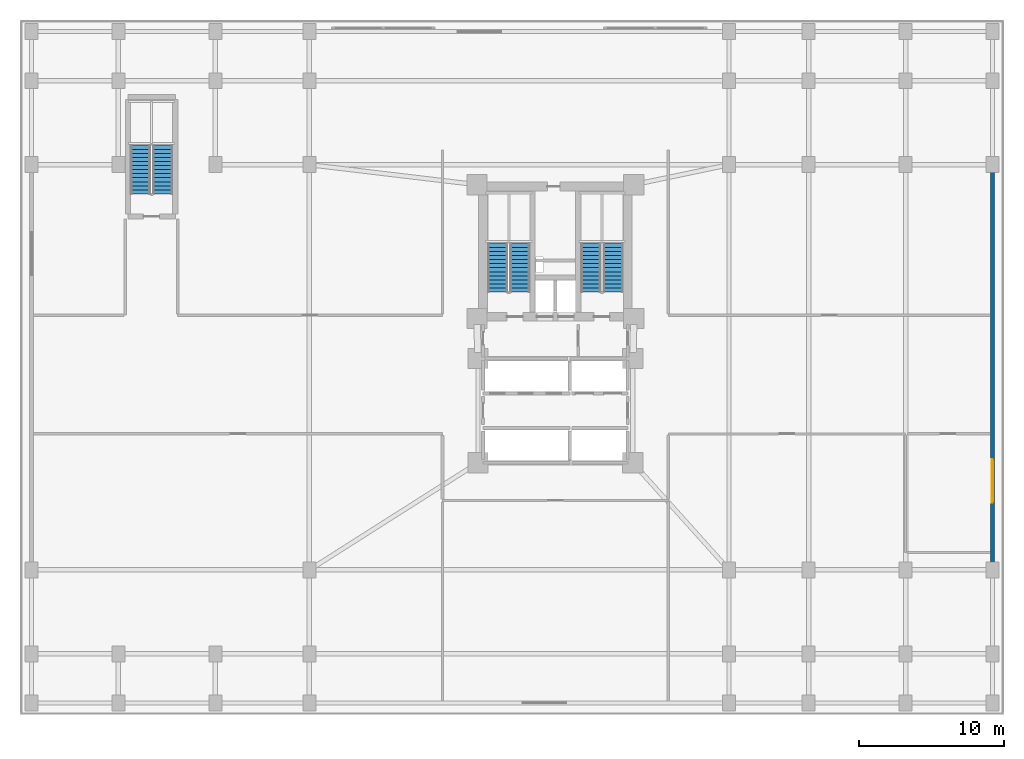
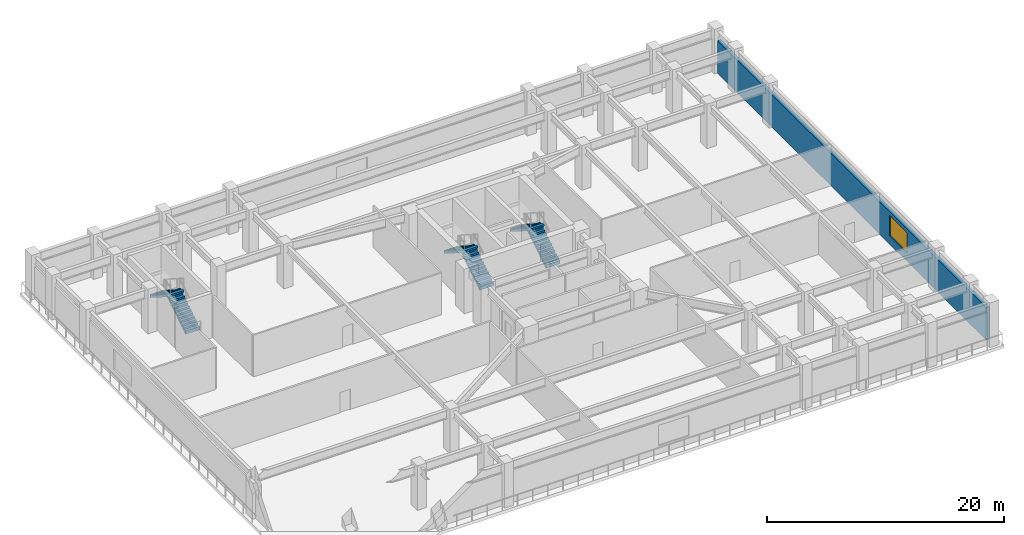
# One storey, part 10 of 12: 6 stair flights, 1 wall, 1 window, 1 opening, 3 elements without a shape of their own.
"""IFC4 building model written with IfcOpenShell, lengths in metres."""

import ifcopenshell
import ifcopenshell.guid

model = None  # the IFC model being written
_history = None  # IfcOwnerHistory: only IFC2X3 demands one
_inside = {}  # id of a spatial element -> (the spatial element, [elements in it])
_under = {}  # id of a project, library or spatial element -> (it, [spatial elements below it])
_declared = {}  # id of a project -> (the project, [libraries it declares])
_typed = {}  # id of a type object -> (the type object, [elements of that type])
_made_of = {}  # id of a material, layer set ... -> (it, [elements and type objects made of it])


def new_model(schema):
    """Start an empty IFC model of exactly this schema.

    Asked for "IFC4X3", IfcOpenShell would pick the latest addendum, in which some entities
    have other attributes; the version numbers below select the first issue.
    IFC2X3 requires an IfcOwnerHistory on every rooted entity: one is made here for all.
    """
    global model, _history
    if schema == "IFC4X3":
        model = ifcopenshell.file(schema_version=(4, 3, 0, 0))
    else:
        model = ifcopenshell.file(schema=schema)
    _inside.clear()
    _under.clear()
    _declared.clear()
    _typed.clear()
    _made_of.clear()
    _history = None
    if model.schema == "IFC2X3":
        org = make("IfcOrganization", Name="unknown")
        user = make(
            "IfcPersonAndOrganization",
            ThePerson=make("IfcPerson", FamilyName="unknown"),
            TheOrganization=org,
        )
        app = make(
            "IfcApplication",
            ApplicationDeveloper=org,
            Version="unknown",
            ApplicationFullName="unknown",
            ApplicationIdentifier="unknown",
        )
        _history = make(
            "IfcOwnerHistory",
            OwningUser=user,
            OwningApplication=app,
            ChangeAction="ADDED",
            CreationDate=0,
        )
    return model


def make(cls, **values):
    """One entity of the class cls with the attributes given. An attribute that is None is left unset."""
    return model.create_entity(
        cls, **{name: value for name, value in values.items() if value is not None}
    )


def rooted(cls, **values):
    """An entity with a GlobalId (a new one), such as an element, a storey or a relation."""
    return make(cls, GlobalId=ifcopenshell.guid.new(), OwnerHistory=_history, **values)


def si_unit(unit_type, name, prefix=None):
    """IfcSIUnit, for example si_unit("LENGTHUNIT", "METRE", prefix="MILLI")."""
    return make("IfcSIUnit", UnitType=unit_type, Prefix=prefix, Name=name)


def assignment(units):
    """IfcUnitAssignment: the units of a project."""
    return None if units is None else make("IfcUnitAssignment", Units=units)


def point(xyz):
    """IfcCartesianPoint."""
    return None if xyz is None else make("IfcCartesianPoint", Coordinates=xyz)


def direction(xyz):
    """IfcDirection."""
    return None if xyz is None else make("IfcDirection", DirectionRatios=xyz)


def frame(location, z_axis=None, x_axis=None):
    """IfcAxis2Placement3D, a coordinate frame: its origin and axes. An axis left out is left unset."""
    return make(
        "IfcAxis2Placement3D",
        Location=point(location),
        Axis=direction(z_axis),
        RefDirection=direction(x_axis),
    )


def frame_2d(location, x_axis=None):
    """IfcAxis2Placement2D, a coordinate frame in the plane: its origin and x axis."""
    return make(
        "IfcAxis2Placement2D", Location=point(location), RefDirection=direction(x_axis)
    )


def origin():
    """The frame at (0, 0, 0) with its axes left unset."""
    return frame((0.0, 0.0, 0.0))


def place(relative_to, where):
    """IfcLocalPlacement: puts the frame where relative to a parent placement (None: the world)."""
    return make(
        "IfcLocalPlacement", PlacementRelTo=relative_to, RelativePlacement=where
    )


def context(
    kind, dimensions, precision=None, world=None, true_north=None, identifier=None
):
    """IfcGeometricRepresentationContext, for example the 3D "Model" context."""
    return make(
        "IfcGeometricRepresentationContext",
        ContextIdentifier=identifier,
        ContextType=kind,
        CoordinateSpaceDimension=dimensions,
        Precision=precision,
        WorldCoordinateSystem=world,
        TrueNorth=true_north,
    )


def subcontext(parent, identifier, kind, view, scale=None):
    """IfcGeometricRepresentationSubContext, for example "Body" below "Model"."""
    return make(
        "IfcGeometricRepresentationSubContext",
        ContextIdentifier=identifier,
        ContextType=kind,
        ParentContext=parent,
        TargetScale=scale,
        TargetView=view,
    )


def project(units=None, contexts=None):
    """IfcProject with its units and contexts."""
    return rooted(
        "IfcProject",
        Name="project",
        RepresentationContexts=contexts,
        UnitsInContext=assignment(units),
    )


def spatial(cls, under=None, at=None, **own):
    """A site, building, storey or space (cls), placed at a placement, below another one or the project."""
    s = rooted(cls, ObjectPlacement=at, **own)
    if under is not None:
        _under.setdefault(under.id(), (under, []))[1].append(s)
    return s


def polyline(points):
    """IfcPolyline through the points."""
    return make("IfcPolyline", Points=[point(p) for p in points])


def profile(cls, at=None, kind="AREA", **sizes):
    """A parametric profile (cls). Its sizes go by their IFC names, for example OverallWidth=200.0."""
    return make(cls, ProfileType=kind, Position=at, **sizes)


def rectangle(**sizes):
    """IfcRectangleProfileDef."""
    return profile("IfcRectangleProfileDef", **sizes)


def outline(outer, holes=None, kind="AREA"):
    """IfcArbitraryClosedProfileDef: a profile drawn as a closed curve; with holes, ...WithVoids."""
    if holes is None:
        return make("IfcArbitraryClosedProfileDef", ProfileType=kind, OuterCurve=outer)
    return make(
        "IfcArbitraryProfileDefWithVoids",
        ProfileType=kind,
        OuterCurve=outer,
        InnerCurves=holes,
    )


def extrude(swept, where, along, depth):
    """IfcExtrudedAreaSolid: the profile swept, set in the frame where, extruded along a direction by depth."""
    return make(
        "IfcExtrudedAreaSolid",
        SweptArea=swept,
        Position=where,
        ExtrudedDirection=direction(along),
        Depth=depth,
    )


def shape(context_of_items, identifier, shape_type, items):
    """IfcShapeRepresentation: the items that make up one representation, for example the "Body"."""
    return make(
        "IfcShapeRepresentation",
        ContextOfItems=context_of_items,
        RepresentationIdentifier=identifier,
        RepresentationType=shape_type,
        Items=items,
    )


def material(Name=None, Category=None):
    """IfcMaterial."""
    return make("IfcMaterial", Name=Name, Category=Category)


def layer(
    of_material, thickness, ventilated=None, Name=None, Category=None, Priority=None
):
    """IfcMaterialLayer: one layer of a wall or slab, of a material (None: an air gap)."""
    return make(
        "IfcMaterialLayer",
        Material=of_material,
        LayerThickness=thickness,
        IsVentilated=ventilated,
        Name=Name,
        Category=Category,
        Priority=Priority,
    )


def layer_set(layers, Name=None):
    """IfcMaterialLayerSet."""
    return make("IfcMaterialLayerSet", MaterialLayers=layers, LayerSetName=Name)


def made_of(thing, what):
    """Note that an element or type object is made of a material, layer set ...; save() writes the relation."""
    if what is not None:
        _made_of.setdefault(what.id(), (what, []))[1].append(thing)
    return thing


def type_object(cls, material=None, **own):
    """A type object (cls), such as IfcWallType, which elements share."""
    return made_of(rooted(cls, **own), material)


def element(
    cls,
    number,
    at=None,
    inside=None,
    cuts=None,
    type_object=None,
    material=None,
    context=None,
    identifier="Body",
    shape_type=None,
    held_by="IfcProductDefinitionShape",
    body=None,
    shapes=None,
    **own,
):
    """One element of the class cls, such as IfcWall. Its Tag is "e" and its number.

    at: its placement. inside: the storey or other place that contains it. cuts: it is an
    opening in that element (IfcRelVoidsElement). A single representation is given by context,
    identifier, shape_type and body (its items); several are given by shapes. held_by: the class
    of the entity that holds the representations. save() writes the other relations.
    """
    e = rooted(cls, Tag="e%d" % number, ObjectPlacement=at, **own)
    if body is not None:
        shapes = [shape(context, identifier, shape_type, body)]
    if shapes is not None:
        e.Representation = make(held_by, Representations=shapes)
    if inside is not None:
        _inside.setdefault(inside.id(), (inside, []))[1].append(e)
    if cuts is not None:
        rooted(
            "IfcRelVoidsElement", RelatingBuildingElement=cuts, RelatedOpeningElement=e
        )
    if type_object is not None:
        _typed.setdefault(type_object.id(), (type_object, []))[1].append(e)
    return made_of(e, material)


def fill(opening, filler):
    """IfcRelFillsElement: the door or window that sits in an opening."""
    return rooted(
        "IfcRelFillsElement",
        RelatingOpeningElement=opening,
        RelatedBuildingElement=filler,
    )


def aggregate(whole, parts):
    """IfcRelAggregates: a whole, such as a stair, and the parts it consists of."""
    return rooted("IfcRelAggregates", RelatingObject=whole, RelatedObjects=parts)


def save(model, path):
    """Write the relations noted so far, then the file.

    IfcRelAggregates (storeys below a building ...), IfcRelContainedInSpatialStructure (elements
    in a storey), IfcRelDefinesByType, IfcRelAssociatesMaterial and IfcRelDeclares: one each for
    every whole, place, type object, material and project.
    """
    for whole, parts in _under.values():
        aggregate(whole, parts)
    for where, things in _inside.values():
        rooted(
            "IfcRelContainedInSpatialStructure",
            RelatedElements=things,
            RelatingStructure=where,
        )
    for kind, things in _typed.values():
        rooted("IfcRelDefinesByType", RelatedObjects=things, RelatingType=kind)
    for what, things in _made_of.values():
        rooted("IfcRelAssociatesMaterial", RelatedObjects=things, RelatingMaterial=what)
    for by, libraries in _declared.values():
        rooted("IfcRelDeclares", RelatingContext=by, RelatedDefinitions=libraries)
    model.write(path)


model = new_model("IFC4")

# Units and contexts
model_context = context("Model", 3, precision=1e-05, world=origin(), true_north=direction((0.0, 1.0)))
body_context = subcontext(model_context, "Body", "Model", "MODEL_VIEW")
ifc_project = project(units=[si_unit("LENGTHUNIT", "METRE"), si_unit("AREAUNIT", "SQUARE_METRE"), si_unit("VOLUMEUNIT", "CUBIC_METRE"), si_unit("PLANEANGLEUNIT", "RADIAN"), si_unit("MASSUNIT", "GRAM", prefix="KILO")], contexts=[model_context])

# Site, building, storey
site_placement = place(None, origin())
site = spatial("IfcSite", under=ifc_project, at=site_placement, CompositionType="ELEMENT")
building_placement = place(site_placement, origin())
building = spatial("IfcBuilding", under=site, at=building_placement, Name="Varnakorn Sky Granary", CompositionType="ELEMENT")
storey_placement = place(building_placement, frame((0.0, 0.0, 4.60009765625)))
storey = spatial("IfcBuildingStorey", under=building, at=storey_placement, Name="L01", CompositionType="ELEMENT", Elevation=4.60009765625)

# Wall, opening, window
ifc_material_1 = material(Name="Precast concrete C40/50", Category="concrete")
ifc_layer = layer(ifc_material_1, 0.300048828125, Name="Precast concrete C40/50")
ifc_layer_set = layer_set([ifc_layer], Name="Precast concrete C40/50")
wall_type = type_object("IfcWallType", Name="WT-EW-POD-300", PredefinedType="SOLIDWALL", material=ifc_layer_set)
wall_placement = place(storey_placement, frame((33.199951171875, 22.655029296875, 0.0), z_axis=(0.0, 0.0, 1.0), x_axis=(0.0, -1.0, 0.0)))
wall = element("IfcWall", 1, at=wall_placement, inside=storey, type_object=wall_type, Name="Podium Exterior Facade Wall L01-E", PredefinedType="SOLIDWALL", context=body_context, shape_type="SweptSolid", body=[
    extrude(rectangle(XDim=45.31005859375, YDim=0.300048828125, at=frame_2d((22.655029296875, 0.0))), origin(), (0.0, 0.0, 1.0), 3.349853515625),
])
opening_placement = place(wall_placement, frame((29.0, 0.0, 0.85009765625)))
opening = element("IfcOpeningElement", 2, at=opening_placement, cuts=wall, Name="Opening WN-03", PredefinedType="OPENING", context=body_context, shape_type="SweptSolid", body=[
    extrude(rectangle(XDim=3.0, YDim=2.10009765625, at=frame_2d((1.5, 1.050048828125))), frame((0.0, 0.16015625, 0.0), z_axis=(0.0, -1.0, 0.0), x_axis=(1.0, 0.0, 0.0)), (0.0, 0.0, 1.0), 0.320068359375),
])
ifc_material_2 = material(Name="Low-E Tinted Laminated Glass", Category="glass")
window_type = type_object("IfcWindowType", Name="WN-MKT-3000", PartitioningType="SINGLE_PANEL", PredefinedType="WINDOW", material=ifc_material_2)
window_placement = place(opening_placement, origin())
window = element("IfcWindow", 3, at=window_placement, inside=storey, type_object=window_type, Name="Podium Facade Window L01-E", OverallHeight=2.10009765625, OverallWidth=3.0, PartitioningType="SINGLE_PANEL", PredefinedType="WINDOW", context=body_context, shape_type="SweptSolid", body=[
    extrude(rectangle(XDim=3.0, YDim=2.10009765625, at=frame_2d((1.5, 1.050048828125))), frame((0.0, 0.030029296875, 0.0), z_axis=(0.0, -1.0, 0.0), x_axis=(1.0, 0.0, 0.0)), (0.0, 0.0, 1.0), 0.06005859375),
])
fill(opening, window)

# Stair, stair flights
ifc_material_3 = material(Name="Concrete C40/50", Category="concrete")
stair_type = type_object("IfcStairType", Name="ST-MAIN-ASSEMBLY", PredefinedType="HALF_TURN_STAIR", material=ifc_material_3)
stair_1_placement = place(storey_placement, origin())
stair_1 = element("IfcStair", 4, at=stair_1_placement, inside=storey, type_object=stair_type, Name="L01 Protected Exit Stair ST-1", PredefinedType="HALF_TURN_STAIR")
stair_flight_type = type_object("IfcStairFlightType", Name="ST-MAIN-FLIGHT", PredefinedType="STRAIGHT", material=ifc_material_3)
stair_flight_1_placement = place(storey_placement, frame((0.550048828125, 5.199951171875, 0.0), z_axis=(0.0, 0.0, 1.0), x_axis=(0.0, 1.0, 0.0)))
stair_flight_1 = element("IfcStairFlight", 5, at=stair_flight_1_placement, type_object=stair_flight_type, Name="ST-1 flight 1", NumberOfRisers=13, NumberOfTreads=12, PredefinedType="STRAIGHT", RiserHeight=0.176923077, TreadLength=0.28, context=body_context, shape_type="SweptSolid", body=[
    extrude(outline(polyline([(0.0, -0.14990234375), (0.0, 0.0), (0.0, 0.177001953125), (0.280029296875, 0.177001953125), (0.280029296875, 0.353759765625), (0.56005859375, 0.353759765625), (0.56005859375, 0.53076171875), (0.840087890625, 0.53076171875), (0.840087890625, 0.707763671875), (1.1201171875, 0.707763671875), (1.1201171875, 0.884521484375), (1.39990234375, 0.884521484375), (1.39990234375, 1.0615234375), (1.679931640625, 1.0615234375), (1.679931640625, 1.238525390625), (1.9599609375, 1.238525390625), (1.9599609375, 1.415283203125), (2.239990234375, 1.415283203125), (2.239990234375, 1.59228515625), (2.52001953125, 1.59228515625), (2.52001953125, 1.769287109375), (2.800048828125, 1.769287109375), (2.800048828125, 1.946044921875), (3.080078125, 1.946044921875), (3.080078125, 2.123046875), (3.360107421875, 2.123046875), (3.360107421875, 2.300048828125), (3.360107421875, 1.94580078125), (0.050048828125, -0.14990234375), (0.0, -0.14990234375)])), frame((0.0, 0.68994140625, 0.0), z_axis=(0.0, -1.0, 0.0), x_axis=(1.0, 0.0, 0.0)), (0.0, 0.0, 1.0), 1.3798828125),
])
stair_flight_2_placement = place(storey_placement, frame((-0.97998046875, 8.56005859375, 2.2998046875), z_axis=(0.0, 0.0, 1.0), x_axis=(0.0, -1.0, 0.0)))
stair_flight_2 = element("IfcStairFlight", 6, at=stair_flight_2_placement, type_object=stair_flight_type, Name="ST-1 flight 2", NumberOfRisers=13, NumberOfTreads=12, PredefinedType="STRAIGHT", RiserHeight=0.176923077, TreadLength=0.28, context=body_context, shape_type="SweptSolid", body=[
    extrude(outline(polyline([(0.0, -0.14990234375), (0.0, 0.0), (0.0, 0.177001953125), (0.280029296875, 0.177001953125), (0.280029296875, 0.353759765625), (0.56005859375, 0.353759765625), (0.56005859375, 0.53076171875), (0.840087890625, 0.53076171875), (0.840087890625, 0.707763671875), (1.1201171875, 0.707763671875), (1.1201171875, 0.884521484375), (1.39990234375, 0.884521484375), (1.39990234375, 1.0615234375), (1.679931640625, 1.0615234375), (1.679931640625, 1.238525390625), (1.9599609375, 1.238525390625), (1.9599609375, 1.415283203125), (2.239990234375, 1.415283203125), (2.239990234375, 1.59228515625), (2.52001953125, 1.59228515625), (2.52001953125, 1.769287109375), (2.800048828125, 1.769287109375), (2.800048828125, 1.946044921875), (3.080078125, 1.946044921875), (3.080078125, 2.123046875), (3.360107421875, 2.123046875), (3.360107421875, 2.300048828125), (3.360107421875, 1.94580078125), (0.050048828125, -0.14990234375), (0.0, -0.14990234375)])), frame((0.0, 0.68994140625, 0.0), z_axis=(0.0, -1.0, 0.0), x_axis=(1.0, 0.0, 0.0)), (0.0, 0.0, 1.0), 1.3798828125),
])
aggregate(stair_1, [stair_flight_1, stair_flight_2])

stair_2_placement = place(storey_placement, origin())
stair_2 = element("IfcStair", 7, at=stair_2_placement, inside=storey, type_object=stair_type, Name="L01 Protected Exit Stair ST-2", PredefinedType="HALF_TURN_STAIR")
stair_flight_3_placement = place(storey_placement, frame((6.989990234375, 5.199951171875, 0.0), z_axis=(0.0, 0.0, 1.0), x_axis=(0.0, 1.0, 0.0)))
stair_flight_3 = element("IfcStairFlight", 8, at=stair_flight_3_placement, type_object=stair_flight_type, Name="ST-2 flight 1", NumberOfRisers=13, NumberOfTreads=12, PredefinedType="STRAIGHT", RiserHeight=0.176923077, TreadLength=0.28, context=body_context, shape_type="SweptSolid", body=[
    extrude(outline(polyline([(0.0, -0.14990234375), (0.0, 0.0), (0.0, 0.177001953125), (0.280029296875, 0.177001953125), (0.280029296875, 0.353759765625), (0.56005859375, 0.353759765625), (0.56005859375, 0.53076171875), (0.840087890625, 0.53076171875), (0.840087890625, 0.707763671875), (1.1201171875, 0.707763671875), (1.1201171875, 0.884521484375), (1.39990234375, 0.884521484375), (1.39990234375, 1.0615234375), (1.679931640625, 1.0615234375), (1.679931640625, 1.238525390625), (1.9599609375, 1.238525390625), (1.9599609375, 1.415283203125), (2.239990234375, 1.415283203125), (2.239990234375, 1.59228515625), (2.52001953125, 1.59228515625), (2.52001953125, 1.769287109375), (2.800048828125, 1.769287109375), (2.800048828125, 1.946044921875), (3.080078125, 1.946044921875), (3.080078125, 2.123046875), (3.360107421875, 2.123046875), (3.360107421875, 2.300048828125), (3.360107421875, 1.94580078125), (0.050048828125, -0.14990234375), (0.0, -0.14990234375)])), frame((0.0, 0.68994140625, 0.0), z_axis=(0.0, -1.0, 0.0), x_axis=(1.0, 0.0, 0.0)), (0.0, 0.0, 1.0), 1.3798828125),
])
stair_flight_4_placement = place(storey_placement, frame((5.4599609375, 8.56005859375, 2.2998046875), z_axis=(0.0, 0.0, 1.0), x_axis=(0.0, -1.0, 0.0)))
stair_flight_4 = element("IfcStairFlight", 9, at=stair_flight_4_placement, type_object=stair_flight_type, Name="ST-2 flight 2", NumberOfRisers=13, NumberOfTreads=12, PredefinedType="STRAIGHT", RiserHeight=0.176923077, TreadLength=0.28, context=body_context, shape_type="SweptSolid", body=[
    extrude(outline(polyline([(0.0, -0.14990234375), (0.0, 0.0), (0.0, 0.177001953125), (0.280029296875, 0.177001953125), (0.280029296875, 0.353759765625), (0.56005859375, 0.353759765625), (0.56005859375, 0.53076171875), (0.840087890625, 0.53076171875), (0.840087890625, 0.707763671875), (1.1201171875, 0.707763671875), (1.1201171875, 0.884521484375), (1.39990234375, 0.884521484375), (1.39990234375, 1.0615234375), (1.679931640625, 1.0615234375), (1.679931640625, 1.238525390625), (1.9599609375, 1.238525390625), (1.9599609375, 1.415283203125), (2.239990234375, 1.415283203125), (2.239990234375, 1.59228515625), (2.52001953125, 1.59228515625), (2.52001953125, 1.769287109375), (2.800048828125, 1.769287109375), (2.800048828125, 1.946044921875), (3.080078125, 1.946044921875), (3.080078125, 2.123046875), (3.360107421875, 2.123046875), (3.360107421875, 2.300048828125), (3.360107421875, 1.94580078125), (0.050048828125, -0.14990234375), (0.0, -0.14990234375)])), frame((0.0, 0.68994140625, 0.0), z_axis=(0.0, -1.0, 0.0), x_axis=(1.0, 0.0, 0.0)), (0.0, 0.0, 1.0), 1.3798828125),
])
aggregate(stair_2, [stair_flight_3, stair_flight_4])

stair_3_placement = place(storey_placement, origin())
stair_3 = element("IfcStair", 10, at=stair_3_placement, inside=storey, type_object=stair_type, Name="L01 Podium and Basement Protected Exit Stair ST-B3", PredefinedType="HALF_TURN_STAIR")
stair_flight_5_placement = place(storey_placement, frame((-24.139892578125, 11.97998046875, 0.0), z_axis=(0.0, 0.0, 1.0), x_axis=(0.0, 1.0, 0.0)))
stair_flight_5 = element("IfcStairFlight", 11, at=stair_flight_5_placement, type_object=stair_flight_type, Name="ST-B3 flight 1", NumberOfRisers=13, NumberOfTreads=12, PredefinedType="STRAIGHT", RiserHeight=0.176923077, TreadLength=0.28, context=body_context, shape_type="SweptSolid", body=[
    extrude(outline(polyline([(0.0, -0.14990234375), (0.0, 0.0), (0.0, 0.177001953125), (0.280029296875, 0.177001953125), (0.280029296875, 0.353759765625), (0.56005859375, 0.353759765625), (0.56005859375, 0.53076171875), (0.840087890625, 0.53076171875), (0.840087890625, 0.707763671875), (1.1201171875, 0.707763671875), (1.1201171875, 0.884521484375), (1.39990234375, 0.884521484375), (1.39990234375, 1.0615234375), (1.679931640625, 1.0615234375), (1.679931640625, 1.238525390625), (1.9599609375, 1.238525390625), (1.9599609375, 1.415283203125), (2.239990234375, 1.415283203125), (2.239990234375, 1.59228515625), (2.52001953125, 1.59228515625), (2.52001953125, 1.769287109375), (2.800048828125, 1.769287109375), (2.800048828125, 1.946044921875), (3.080078125, 1.946044921875), (3.080078125, 2.123046875), (3.360107421875, 2.123046875), (3.360107421875, 2.300048828125), (3.360107421875, 1.94580078125), (0.050048828125, -0.14990234375), (0.0, -0.14990234375)])), frame((0.0, 0.68994140625, 0.0), z_axis=(0.0, -1.0, 0.0), x_axis=(1.0, 0.0, 0.0)), (0.0, 0.0, 1.0), 1.3798828125),
])
stair_flight_6_placement = place(storey_placement, frame((-25.669921875, 15.340087890625, 2.2998046875), z_axis=(0.0, 0.0, 1.0), x_axis=(0.0, -1.0, 0.0)))
stair_flight_6 = element("IfcStairFlight", 12, at=stair_flight_6_placement, type_object=stair_flight_type, Name="ST-B3 flight 2", NumberOfRisers=13, NumberOfTreads=12, PredefinedType="STRAIGHT", RiserHeight=0.176923077, TreadLength=0.28, context=body_context, shape_type="SweptSolid", body=[
    extrude(outline(polyline([(0.0, -0.14990234375), (0.0, 0.0), (0.0, 0.177001953125), (0.280029296875, 0.177001953125), (0.280029296875, 0.353759765625), (0.56005859375, 0.353759765625), (0.56005859375, 0.53076171875), (0.840087890625, 0.53076171875), (0.840087890625, 0.707763671875), (1.1201171875, 0.707763671875), (1.1201171875, 0.884521484375), (1.39990234375, 0.884521484375), (1.39990234375, 1.0615234375), (1.679931640625, 1.0615234375), (1.679931640625, 1.238525390625), (1.9599609375, 1.238525390625), (1.9599609375, 1.415283203125), (2.239990234375, 1.415283203125), (2.239990234375, 1.59228515625), (2.52001953125, 1.59228515625), (2.52001953125, 1.769287109375), (2.800048828125, 1.769287109375), (2.800048828125, 1.946044921875), (3.080078125, 1.946044921875), (3.080078125, 2.123046875), (3.360107421875, 2.123046875), (3.360107421875, 2.300048828125), (3.360107421875, 1.94580078125), (0.050048828125, -0.14990234375), (0.0, -0.14990234375)])), frame((0.0, 0.68994140625, 0.0), z_axis=(0.0, -1.0, 0.0), x_axis=(1.0, 0.0, 0.0)), (0.0, 0.0, 1.0), 1.3798828125),
])
aggregate(stair_3, [stair_flight_5, stair_flight_6])

save(model, "model.ifc")
